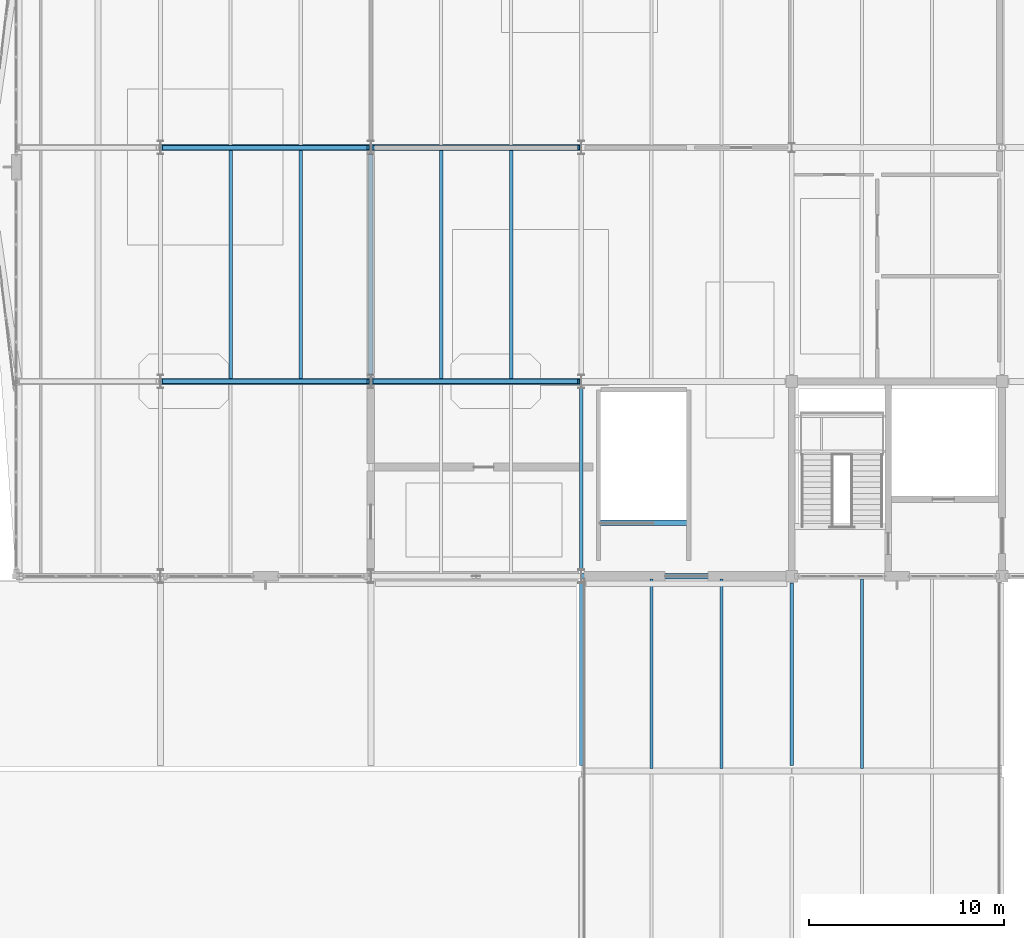
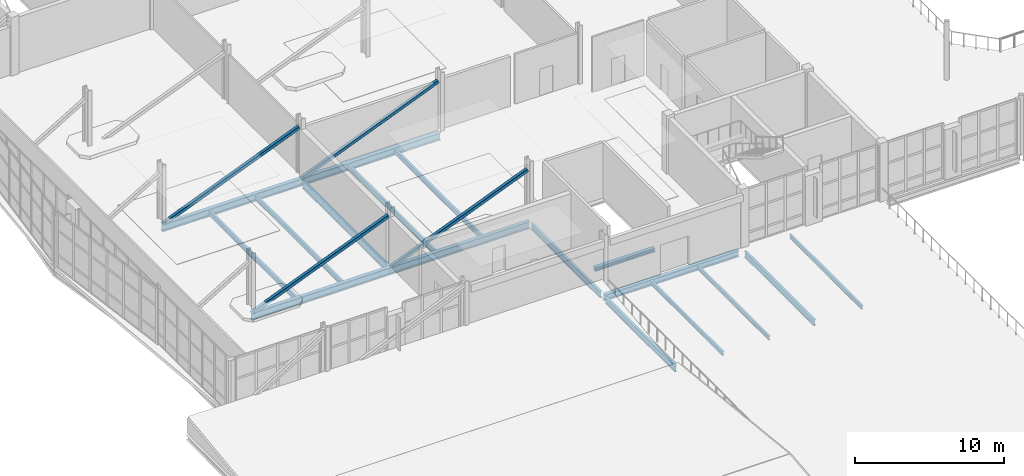
# One storey, part 20 of 100: 17 beams, 4 members.
"""IFC4 building model written with IfcOpenShell, lengths in metres."""

import ifcopenshell
import ifcopenshell.guid

model = None  # the IFC model being written
_history = None  # IfcOwnerHistory: only IFC2X3 demands one
_inside = {}  # id of a spatial element -> (the spatial element, [elements in it])
_under = {}  # id of a project, library or spatial element -> (it, [spatial elements below it])
_declared = {}  # id of a project -> (the project, [libraries it declares])
_typed = {}  # id of a type object -> (the type object, [elements of that type])
_made_of = {}  # id of a material, layer set ... -> (it, [elements and type objects made of it])


def new_model(schema):
    """Start an empty IFC model of exactly this schema.

    Asked for "IFC4X3", IfcOpenShell would pick the latest addendum, in which some entities
    have other attributes; the version numbers below select the first issue.
    IFC2X3 requires an IfcOwnerHistory on every rooted entity: one is made here for all.
    """
    global model, _history
    if schema == "IFC4X3":
        model = ifcopenshell.file(schema_version=(4, 3, 0, 0))
    else:
        model = ifcopenshell.file(schema=schema)
    _inside.clear()
    _under.clear()
    _declared.clear()
    _typed.clear()
    _made_of.clear()
    _history = None
    if model.schema == "IFC2X3":
        org = make("IfcOrganization", Name="unknown")
        user = make(
            "IfcPersonAndOrganization",
            ThePerson=make("IfcPerson", FamilyName="unknown"),
            TheOrganization=org,
        )
        app = make(
            "IfcApplication",
            ApplicationDeveloper=org,
            Version="unknown",
            ApplicationFullName="unknown",
            ApplicationIdentifier="unknown",
        )
        _history = make(
            "IfcOwnerHistory",
            OwningUser=user,
            OwningApplication=app,
            ChangeAction="ADDED",
            CreationDate=0,
        )
    return model


def make(cls, **values):
    """One entity of the class cls with the attributes given. An attribute that is None is left unset."""
    return model.create_entity(
        cls, **{name: value for name, value in values.items() if value is not None}
    )


def rooted(cls, **values):
    """An entity with a GlobalId (a new one), such as an element, a storey or a relation."""
    return make(cls, GlobalId=ifcopenshell.guid.new(), OwnerHistory=_history, **values)


def si_unit(unit_type, name, prefix=None):
    """IfcSIUnit, for example si_unit("LENGTHUNIT", "METRE", prefix="MILLI")."""
    return make("IfcSIUnit", UnitType=unit_type, Prefix=prefix, Name=name)


def assignment(units):
    """IfcUnitAssignment: the units of a project."""
    return None if units is None else make("IfcUnitAssignment", Units=units)


def point(xyz):
    """IfcCartesianPoint."""
    return None if xyz is None else make("IfcCartesianPoint", Coordinates=xyz)


def direction(xyz):
    """IfcDirection."""
    return None if xyz is None else make("IfcDirection", DirectionRatios=xyz)


def frame(location, z_axis=None, x_axis=None):
    """IfcAxis2Placement3D, a coordinate frame: its origin and axes. An axis left out is left unset."""
    return make(
        "IfcAxis2Placement3D",
        Location=point(location),
        Axis=direction(z_axis),
        RefDirection=direction(x_axis),
    )


def frame_2d(location, x_axis=None):
    """IfcAxis2Placement2D, a coordinate frame in the plane: its origin and x axis."""
    return make(
        "IfcAxis2Placement2D", Location=point(location), RefDirection=direction(x_axis)
    )


def origin():
    """The frame at (0, 0, 0) with its axes left unset."""
    return frame((0.0, 0.0, 0.0))


def origin_2d():
    """The frame at (0, 0) in the plane with its x axis left unset."""
    return frame_2d((0.0, 0.0))


def place(relative_to, where):
    """IfcLocalPlacement: puts the frame where relative to a parent placement (None: the world)."""
    return make(
        "IfcLocalPlacement", PlacementRelTo=relative_to, RelativePlacement=where
    )


def context(
    kind, dimensions, precision=None, world=None, true_north=None, identifier=None
):
    """IfcGeometricRepresentationContext, for example the 3D "Model" context."""
    return make(
        "IfcGeometricRepresentationContext",
        ContextIdentifier=identifier,
        ContextType=kind,
        CoordinateSpaceDimension=dimensions,
        Precision=precision,
        WorldCoordinateSystem=world,
        TrueNorth=true_north,
    )


def subcontext(parent, identifier, kind, view, scale=None):
    """IfcGeometricRepresentationSubContext, for example "Body" below "Model"."""
    return make(
        "IfcGeometricRepresentationSubContext",
        ContextIdentifier=identifier,
        ContextType=kind,
        ParentContext=parent,
        TargetScale=scale,
        TargetView=view,
    )


def project(units=None, contexts=None):
    """IfcProject with its units and contexts."""
    return rooted(
        "IfcProject",
        Name="project",
        RepresentationContexts=contexts,
        UnitsInContext=assignment(units),
    )


def spatial(cls, under=None, at=None, **own):
    """A site, building, storey or space (cls), placed at a placement, below another one or the project."""
    s = rooted(cls, ObjectPlacement=at, **own)
    if under is not None:
        _under.setdefault(under.id(), (under, []))[1].append(s)
    return s


def profile(cls, at=None, kind="AREA", **sizes):
    """A parametric profile (cls). Its sizes go by their IFC names, for example OverallWidth=200.0."""
    return make(cls, ProfileType=kind, Position=at, **sizes)


def hollow_rectangle(**sizes):
    """IfcRectangleHollowProfileDef."""
    return profile("IfcRectangleHollowProfileDef", **sizes)


def i_section(**sizes):
    """IfcIShapeProfileDef."""
    return profile("IfcIShapeProfileDef", **sizes)


def extrude(swept, where, along, depth):
    """IfcExtrudedAreaSolid: the profile swept, set in the frame where, extruded along a direction by depth."""
    return make(
        "IfcExtrudedAreaSolid",
        SweptArea=swept,
        Position=where,
        ExtrudedDirection=direction(along),
        Depth=depth,
    )


def shape(context_of_items, identifier, shape_type, items):
    """IfcShapeRepresentation: the items that make up one representation, for example the "Body"."""
    return make(
        "IfcShapeRepresentation",
        ContextOfItems=context_of_items,
        RepresentationIdentifier=identifier,
        RepresentationType=shape_type,
        Items=items,
    )


def material(Name=None, Category=None):
    """IfcMaterial."""
    return make("IfcMaterial", Name=Name, Category=Category)


def material_profile(
    of_material, cross_section, Name=None, Category=None, Priority=None
):
    """IfcMaterialProfile: a cross section and its material."""
    return make(
        "IfcMaterialProfile",
        Name=Name,
        Material=of_material,
        Profile=cross_section,
        Priority=Priority,
        Category=Category,
    )


def profile_set(profiles, Name=None, composite=None):
    """IfcMaterialProfileSet."""
    return make(
        "IfcMaterialProfileSet",
        Name=Name,
        MaterialProfiles=profiles,
        CompositeProfile=composite,
    )


def made_of(thing, what):
    """Note that an element or type object is made of a material, layer set ...; save() writes the relation."""
    if what is not None:
        _made_of.setdefault(what.id(), (what, []))[1].append(thing)
    return thing


def type_object(cls, material=None, **own):
    """A type object (cls), such as IfcWallType, which elements share."""
    return made_of(rooted(cls, **own), material)


def element(
    cls,
    number,
    at=None,
    inside=None,
    cuts=None,
    type_object=None,
    material=None,
    context=None,
    identifier="Body",
    shape_type=None,
    held_by="IfcProductDefinitionShape",
    body=None,
    shapes=None,
    **own,
):
    """One element of the class cls, such as IfcWall. Its Tag is "e" and its number.

    at: its placement. inside: the storey or other place that contains it. cuts: it is an
    opening in that element (IfcRelVoidsElement). A single representation is given by context,
    identifier, shape_type and body (its items); several are given by shapes. held_by: the class
    of the entity that holds the representations. save() writes the other relations.
    """
    e = rooted(cls, Tag="e%d" % number, ObjectPlacement=at, **own)
    if body is not None:
        shapes = [shape(context, identifier, shape_type, body)]
    if shapes is not None:
        e.Representation = make(held_by, Representations=shapes)
    if inside is not None:
        _inside.setdefault(inside.id(), (inside, []))[1].append(e)
    if cuts is not None:
        rooted(
            "IfcRelVoidsElement", RelatingBuildingElement=cuts, RelatedOpeningElement=e
        )
    if type_object is not None:
        _typed.setdefault(type_object.id(), (type_object, []))[1].append(e)
    return made_of(e, material)


def aggregate(whole, parts):
    """IfcRelAggregates: a whole, such as a stair, and the parts it consists of."""
    return rooted("IfcRelAggregates", RelatingObject=whole, RelatedObjects=parts)


def save(model, path):
    """Write the relations noted so far, then the file.

    IfcRelAggregates (storeys below a building ...), IfcRelContainedInSpatialStructure (elements
    in a storey), IfcRelDefinesByType, IfcRelAssociatesMaterial and IfcRelDeclares: one each for
    every whole, place, type object, material and project.
    """
    for whole, parts in _under.values():
        aggregate(whole, parts)
    for where, things in _inside.values():
        rooted(
            "IfcRelContainedInSpatialStructure",
            RelatedElements=things,
            RelatingStructure=where,
        )
    for kind, things in _typed.values():
        rooted("IfcRelDefinesByType", RelatedObjects=things, RelatingType=kind)
    for what, things in _made_of.values():
        rooted("IfcRelAssociatesMaterial", RelatedObjects=things, RelatingMaterial=what)
    for by, libraries in _declared.values():
        rooted("IfcRelDeclares", RelatingContext=by, RelatedDefinitions=libraries)
    model.write(path)


model = new_model("IFC4")

# Units and contexts
model_context = context("Model", 3, precision=1e-05, world=origin(), true_north=direction((0.0, 1.0)))
body_context = subcontext(model_context, "Body", "Model", "MODEL_VIEW")
ifc_project = project(units=[si_unit("LENGTHUNIT", "METRE"), si_unit("AREAUNIT", "SQUARE_METRE"), si_unit("VOLUMEUNIT", "CUBIC_METRE"), si_unit("PLANEANGLEUNIT", "RADIAN"), si_unit("MASSUNIT", "GRAM", prefix="KILO")], contexts=[model_context])

# Site, building, storey
site_placement = place(None, origin())
site = spatial("IfcSite", under=ifc_project, at=site_placement, CompositionType="ELEMENT")
building_placement = place(site_placement, origin())
building = spatial("IfcBuilding", under=site, at=building_placement, Name="Tasgan Crest Museum", CompositionType="ELEMENT")
storey_placement = place(building_placement, frame((0.0, 0.0, 9.60009765625)))
storey = spatial("IfcBuildingStorey", under=building, at=storey_placement, Name="L02", CompositionType="ELEMENT", Elevation=9.60009765625)

# Beams
ifc_material_1 = material(Name="Steel S355K2", Category="steel")
ifc_material_profile_1 = material_profile(ifc_material_1, i_section(OverallWidth=0.300048828125, OverallDepth=0.60009765625, WebThickness=0.015380859375, FlangeThickness=0.030029296875, FilletRadius=0.027099609375, at=origin_2d()), Name="HEB 600")
ifc_profile_set_1 = profile_set([ifc_material_profile_1], Name="Steel S355K2")
beam_type_1 = type_object("IfcBeamType", Name="BM-CANT-G1", PredefinedType="BEAM", material=ifc_profile_set_1)
for number, where, z_axis, x_axis, name in (
    (1, (10.806396484375, 50.0, -0.56005859375), (1.0, 0.0, 0.0), (0.0, 1.0, 0.0), "Transfer back-span girder 1 BOT F"),
    (2, (21.6064453125, 50.0, -0.56005859375), (1.0, 0.0, 0.0), (0.0, 1.0, 0.0), "Transfer back-span girder 2 BOT F"),
    (3, (10.806396484375, 62.0, -0.56005859375), (1.0, 0.0, 0.0), (0.0, 1.0, 0.0), "Transfer back-span girder 1 BOT G"),
    (4, (21.6064453125, 62.0, -0.56005859375), (1.0, 0.0, 0.0), (0.0, 1.0, 0.0), "Transfer back-span girder 2 BOT G"),
):
    element("IfcBeam", number, at=place(storey_placement, frame(where, z_axis=z_axis, x_axis=x_axis)), inside=storey, type_object=beam_type_1, Name=name, PredefinedType="BEAM", context=body_context, shape_type="SweptSolid", body=[
        extrude(i_section(OverallWidth=0.300048828125, OverallDepth=0.60009765625, WebThickness=0.015380859375, FlangeThickness=0.030029296875, FilletRadius=0.027099609375, at=origin_2d()), origin(), (0.0, 0.0, 1.0), 10.787109375),
    ])
ifc_material_2 = material(Name="Steel S355J2", Category="steel")
ifc_material_profile_2 = material_profile(ifc_material_2, i_section(OverallWidth=0.300048828125, OverallDepth=0.300048828125, WebThickness=0.010986328125, FlangeThickness=0.01904296875, FilletRadius=0.027099609375, at=origin_2d()), Name="HEB 300")
ifc_profile_set_2 = profile_set([ifc_material_profile_2], Name="Steel S355J2")
beam_type_2 = type_object("IfcBeamType", Name="BM-G-HEB300", PredefinedType="BEAM", material=ifc_profile_set_2)
beam_1_placement = place(storey_placement, frame((33.260009765625, 42.75, -0.150146484375), z_axis=(1.0, 0.0, 0.0), x_axis=(0.0, 1.0, 0.0)))
element("IfcBeam", 5, at=beam_1_placement, inside=storey, type_object=beam_type_2, Name="GALP top stair trimmer L02", PredefinedType="BEAM", context=body_context, shape_type="SweptSolid", body=[
    extrude(i_section(OverallWidth=0.300048828125, OverallDepth=0.300048828125, WebThickness=0.010986328125, FlangeThickness=0.01904296875, FilletRadius=0.027099609375, at=origin_2d()), origin(), (0.0, 0.0, 1.0), 4.679931640625),
])
ifc_material_3 = material(Name="Steel S355J2", Category="steel")
ifc_material_profile_3 = material_profile(ifc_material_3, i_section(OverallWidth=0.300048828125, OverallDepth=0.5, WebThickness=0.014404296875, FlangeThickness=0.028076171875, FilletRadius=0.027099609375, at=origin_2d()), Name="HEB 500")
ifc_profile_set_3 = profile_set([ifc_material_profile_3], Name="Steel S355J2")
beam_type_3 = type_object("IfcBeamType", Name="BM-G-HEB500", PredefinedType="BEAM", material=ifc_profile_set_3)
beam_2_placement = place(storey_placement, frame((32.406494140625, 40.0, -0.510009765625), z_axis=(1.0, 0.0, 0.0), x_axis=(0.0, 1.0, 0.0)))
element("IfcBeam", 6, at=beam_2_placement, inside=storey, type_object=beam_type_3, Name="Girder L02 E 32.4-43.2", PredefinedType="BEAM", context=body_context, shape_type="SweptSolid", body=[
    extrude(i_section(OverallWidth=0.300048828125, OverallDepth=0.5, WebThickness=0.014404296875, FlangeThickness=0.028076171875, FilletRadius=0.027099609375, at=origin_2d()), origin(), (0.0, 0.0, 1.0), 10.447509765625),
])
ifc_material_4 = material(Name="Steel S355J2", Category="steel")
ifc_material_profile_4 = material_profile(ifc_material_4, i_section(OverallWidth=0.199951171875, OverallDepth=0.5, WebThickness=0.01025390625, FlangeThickness=0.01611328125, FilletRadius=0.02099609375, at=origin_2d()), Name="IPE 500")
ifc_profile_set_4 = profile_set([ifc_material_profile_4], Name="Steel S355J2")
beam_type_4 = type_object("IfcBeamType", Name="BM-G-IPE500", PredefinedType="BEAM", material=ifc_profile_set_4)
beam_3_placement = place(storey_placement, frame((32.39990234375, 30.2900390625, -0.5), z_axis=(0.0, 1.0, 0.0), x_axis=(-1.0, 0.0, 0.0)))
element("IfcBeam", 7, at=beam_3_placement, inside=storey, type_object=beam_type_4, Name="Beam L02 4 30.0-40.0", PredefinedType="BEAM", context=body_context, shape_type="SweptSolid", body=[
    extrude(i_section(OverallWidth=0.199951171875, OverallDepth=0.5, WebThickness=0.01025390625, FlangeThickness=0.01611328125, FilletRadius=0.02099609375, at=origin_2d()), origin(), (0.0, 0.0, 1.0), 9.364990234375),
])
beam_4_placement = place(storey_placement, frame((32.39990234375, 40.344970703125, -0.510009765625), z_axis=(0.0, 1.0, 0.0), x_axis=(-1.0, 0.0, 0.0)))
element("IfcBeam", 8, at=beam_4_placement, inside=storey, type_object=beam_type_4, Name="Beam L02 4 40.0-50.0", PredefinedType="BEAM", context=body_context, shape_type="SweptSolid", body=[
    extrude(i_section(OverallWidth=0.199951171875, OverallDepth=0.5, WebThickness=0.01025390625, FlangeThickness=0.01611328125, FilletRadius=0.02099609375, at=origin_2d()), origin(), (0.0, 0.0, 1.0), 9.31005859375),
])
beam_5_placement = place(storey_placement, frame((43.199951171875, 30.2900390625, -0.5), z_axis=(0.0, 1.0, 0.0), x_axis=(-1.0, 0.0, 0.0)))
element("IfcBeam", 9, at=beam_5_placement, inside=storey, type_object=beam_type_4, Name="Beam L02 5 30.0-40.0", PredefinedType="BEAM", context=body_context, shape_type="SweptSolid", body=[
    extrude(i_section(OverallWidth=0.199951171875, OverallDepth=0.5, WebThickness=0.01025390625, FlangeThickness=0.01611328125, FilletRadius=0.02099609375, at=origin_2d()), origin(), (0.0, 0.0, 1.0), 9.364990234375),
])
ifc_material_5 = material(Name="Steel S355J2", Category="steel")
ifc_material_profile_5 = material_profile(ifc_material_5, i_section(OverallWidth=0.219970703125, OverallDepth=0.60009765625, WebThickness=0.011962890625, FlangeThickness=0.01904296875, FilletRadius=0.02392578125, at=origin_2d()), Name="IPE 600")
ifc_profile_set_5 = profile_set([ifc_material_profile_5], Name="Steel S355J2")
beam_type_5 = type_object("IfcBeamType", Name="BM-G-IPE600", PredefinedType="BEAM", material=ifc_profile_set_5)
beam_6_placement = place(storey_placement, frame((21.60009765625, 50.344970703125, -0.56005859375), z_axis=(0.0, 1.0, 0.0), x_axis=(-1.0, 0.0, 0.0)))
element("IfcBeam", 10, at=beam_6_placement, inside=storey, type_object=beam_type_5, Name="Beam L02 3 50.0-62.0", PredefinedType="BEAM", context=body_context, shape_type="SweptSolid", body=[
    extrude(i_section(OverallWidth=0.219970703125, OverallDepth=0.60009765625, WebThickness=0.011962890625, FlangeThickness=0.01904296875, FilletRadius=0.02392578125, at=origin_2d()), origin(), (0.0, 0.0, 1.0), 11.31005859375),
])
ifc_material_6 = material(Name="Steel S355J2", Category="steel")
ifc_material_profile_6 = material_profile(ifc_material_6, i_section(OverallWidth=0.159912109375, OverallDepth=0.330078125, WebThickness=0.007568359375, FlangeThickness=0.011474609375, FilletRadius=0.01806640625, at=origin_2d()), Name="IPE 330")
ifc_profile_set_6 = profile_set([ifc_material_profile_6], Name="Steel S355J2")
beam_type_6 = type_object("IfcBeamType", Name="BM-J-IPE330", PredefinedType="JOIST", material=ifc_profile_set_6)
for number, where, z_axis, x_axis, name in (
    (11, (36.0, 30.14501953125, -0.4150390625), (0.0, 1.0, 0.0), (-1.0, 0.0, 0.0), "Secondary joist L02 X=36.0 Y=30.0-40.0"),
    (12, (39.60009765625, 30.14501953125, -0.4150390625), (0.0, 1.0, 0.0), (-1.0, 0.0, 0.0), "Secondary joist L02 X=39.6 Y=30.0-40.0"),
    (13, (46.800048828125, 30.14501953125, -0.4150390625), (0.0, 1.0, 0.0), (-1.0, 0.0, 0.0), "Secondary joist L02 X=46.8 Y=30.0-40.0"),
):
    element("IfcBeam", number, at=place(storey_placement, frame(where, z_axis=z_axis, x_axis=x_axis)), inside=storey, type_object=beam_type_6, Name=name, PredefinedType="JOIST", context=body_context, shape_type="SweptSolid", body=[
        extrude(i_section(OverallWidth=0.159912109375, OverallDepth=0.330078125, WebThickness=0.007568359375, FlangeThickness=0.011474609375, FilletRadius=0.01806640625, at=origin_2d()), origin(), (0.0, 0.0, 1.0), 9.7099609375),
    ])
ifc_material_7 = material(Name="Steel S355J2", Category="steel")
ifc_material_profile_7 = material_profile(ifc_material_7, i_section(OverallWidth=0.179931640625, OverallDepth=0.39990234375, WebThickness=0.008544921875, FlangeThickness=0.013427734375, FilletRadius=0.02099609375, at=origin_2d()), Name="IPE 400")
ifc_profile_set_7 = profile_set([ifc_material_profile_7], Name="Steel S355J2")
beam_type_7 = type_object("IfcBeamType", Name="BM-J-IPE400", PredefinedType="JOIST", material=ifc_profile_set_7)
for number, where, z_axis, x_axis, name in (
    (14, (14.39990234375, 50.14501953125, -0.460205078125), (0.0, 1.0, 0.0), (-1.0, 0.0, 0.0), "Secondary joist L02 X=14.4 Y=50.0-62.0"),
    (15, (18.0, 50.14501953125, -0.460205078125), (0.0, 1.0, 0.0), (-1.0, 0.0, 0.0), "Secondary joist L02 X=18.0 Y=50.0-62.0"),
    (16, (25.199951171875, 50.14501953125, -0.460205078125), (0.0, 1.0, 0.0), (-1.0, 0.0, 0.0), "Secondary joist L02 X=25.2 Y=50.0-62.0"),
    (17, (28.800048828125, 50.14501953125, -0.460205078125), (0.0, 1.0, 0.0), (-1.0, 0.0, 0.0), "Secondary joist L02 X=28.8 Y=50.0-62.0"),
):
    element("IfcBeam", number, at=place(storey_placement, frame(where, z_axis=z_axis, x_axis=x_axis)), inside=storey, type_object=beam_type_7, Name=name, PredefinedType="JOIST", context=body_context, shape_type="SweptSolid", body=[
        extrude(i_section(OverallWidth=0.179931640625, OverallDepth=0.39990234375, WebThickness=0.008544921875, FlangeThickness=0.013427734375, FilletRadius=0.02099609375, at=origin_2d()), origin(), (0.0, 0.0, 1.0), 11.7099609375),
    ])

# Members
ifc_material_8 = material(Name="Steel S355K2", Category="steel")
ifc_material_profile_8 = material_profile(ifc_material_8, hollow_rectangle(XDim=0.260009765625, YDim=0.260009765625, WallThickness=0.01416015625, InnerFilletRadius=0.01416015625, OuterFilletRadius=0.0283203125, at=origin_2d()), Name="SHS 260x260x14.2")
ifc_profile_set_8 = profile_set([ifc_material_profile_8], Name="Steel S355K2")
member_type = type_object("IfcMemberType", Name="TR-CANT-DIAG", PredefinedType="BRACE", material=ifc_profile_set_8)
for number, where, z_axis, x_axis, name in (
    (18, (10.949951171875, 50.0, -0.280029296875), (0.927253929438, 0.0, 0.374433105296), (0.0, 1.0, 0.0), "Transfer truss diagonal L02 F-2"),
    (19, (21.75, 50.0, -0.280029296875), (0.927253929438, 0.0, 0.374433105296), (0.0, 1.0, 0.0), "Transfer truss diagonal L02 F-3"),
    (20, (10.949951171875, 62.0, -0.280029296875), (0.927253929438, 0.0, 0.374433105296), (0.0, 1.0, 0.0), "Transfer truss diagonal L02 G-2"),
    (21, (21.75, 62.0, -0.280029296875), (0.927253929438, 0.0, 0.374433105296), (0.0, 1.0, 0.0), "Transfer truss diagonal L02 G-3"),
):
    element("IfcMember", number, at=place(storey_placement, frame(where, z_axis=z_axis, x_axis=x_axis)), inside=storey, type_object=member_type, Name=name, PredefinedType="BRACE", context=body_context, shape_type="SweptSolid", body=[
        extrude(hollow_rectangle(XDim=0.260009765625, YDim=0.260009765625, WallThickness=0.01416015625, InnerFilletRadius=0.01416015625, OuterFilletRadius=0.0283203125, at=origin_2d()), origin(), (0.0, 0.0, 1.0), 11.32373046875),
    ])

save(model, "model.ifc")
